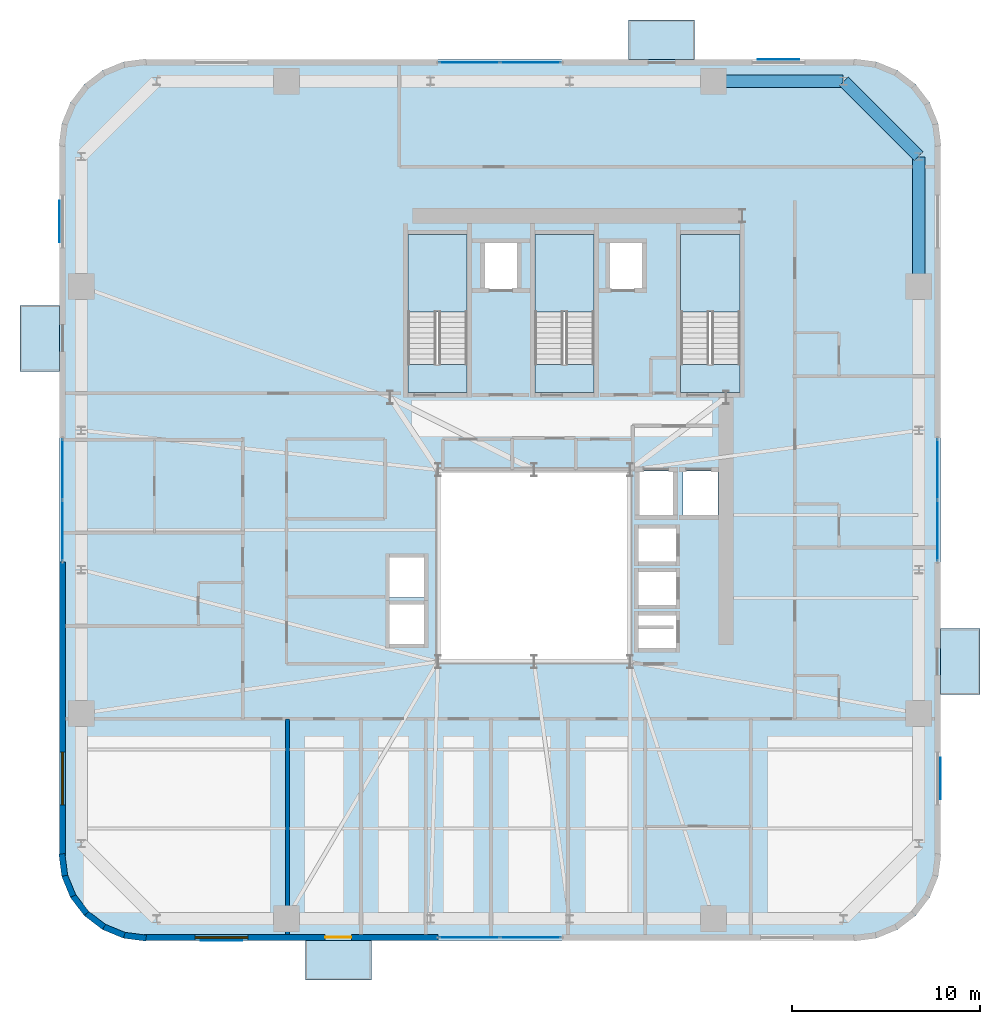
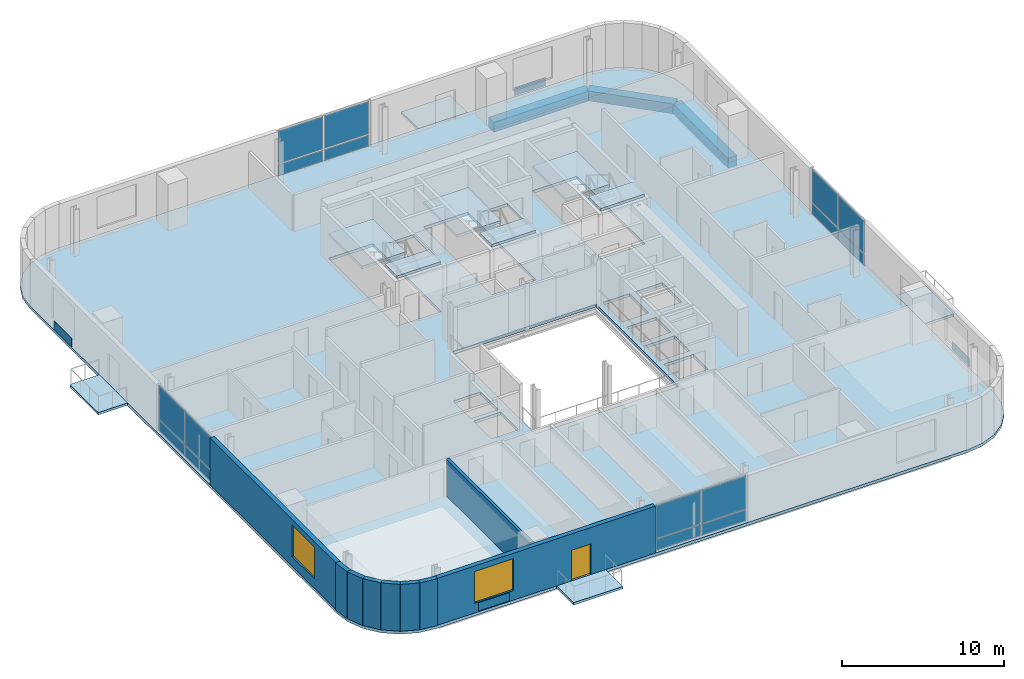
# One storey, part 7 of 17: 20 plates, 11 slabs, 9 walls, 3 beams, 2 windows, 1 door, 3 openings, 7 elements without a shape of their own.
"""IFC4 building model written with IfcOpenShell, lengths in metres."""

import ifcopenshell
import ifcopenshell.guid

model = None  # the IFC model being written
_history = None  # IfcOwnerHistory: only IFC2X3 demands one
_inside = {}  # id of a spatial element -> (the spatial element, [elements in it])
_under = {}  # id of a project, library or spatial element -> (it, [spatial elements below it])
_declared = {}  # id of a project -> (the project, [libraries it declares])
_typed = {}  # id of a type object -> (the type object, [elements of that type])
_made_of = {}  # id of a material, layer set ... -> (it, [elements and type objects made of it])


def new_model(schema):
    """Start an empty IFC model of exactly this schema.

    Asked for "IFC4X3", IfcOpenShell would pick the latest addendum, in which some entities
    have other attributes; the version numbers below select the first issue.
    IFC2X3 requires an IfcOwnerHistory on every rooted entity: one is made here for all.
    """
    global model, _history
    if schema == "IFC4X3":
        model = ifcopenshell.file(schema_version=(4, 3, 0, 0))
    else:
        model = ifcopenshell.file(schema=schema)
    _inside.clear()
    _under.clear()
    _declared.clear()
    _typed.clear()
    _made_of.clear()
    _history = None
    if model.schema == "IFC2X3":
        org = make("IfcOrganization", Name="unknown")
        user = make(
            "IfcPersonAndOrganization",
            ThePerson=make("IfcPerson", FamilyName="unknown"),
            TheOrganization=org,
        )
        app = make(
            "IfcApplication",
            ApplicationDeveloper=org,
            Version="unknown",
            ApplicationFullName="unknown",
            ApplicationIdentifier="unknown",
        )
        _history = make(
            "IfcOwnerHistory",
            OwningUser=user,
            OwningApplication=app,
            ChangeAction="ADDED",
            CreationDate=0,
        )
    return model


def make(cls, **values):
    """One entity of the class cls with the attributes given. An attribute that is None is left unset."""
    return model.create_entity(
        cls, **{name: value for name, value in values.items() if value is not None}
    )


def rooted(cls, **values):
    """An entity with a GlobalId (a new one), such as an element, a storey or a relation."""
    return make(cls, GlobalId=ifcopenshell.guid.new(), OwnerHistory=_history, **values)


def si_unit(unit_type, name, prefix=None):
    """IfcSIUnit, for example si_unit("LENGTHUNIT", "METRE", prefix="MILLI")."""
    return make("IfcSIUnit", UnitType=unit_type, Prefix=prefix, Name=name)


def assignment(units):
    """IfcUnitAssignment: the units of a project."""
    return None if units is None else make("IfcUnitAssignment", Units=units)


def point(xyz):
    """IfcCartesianPoint."""
    return None if xyz is None else make("IfcCartesianPoint", Coordinates=xyz)


def direction(xyz):
    """IfcDirection."""
    return None if xyz is None else make("IfcDirection", DirectionRatios=xyz)


def frame(location, z_axis=None, x_axis=None):
    """IfcAxis2Placement3D, a coordinate frame: its origin and axes. An axis left out is left unset."""
    return make(
        "IfcAxis2Placement3D",
        Location=point(location),
        Axis=direction(z_axis),
        RefDirection=direction(x_axis),
    )


def frame_2d(location, x_axis=None):
    """IfcAxis2Placement2D, a coordinate frame in the plane: its origin and x axis."""
    return make(
        "IfcAxis2Placement2D", Location=point(location), RefDirection=direction(x_axis)
    )


def origin():
    """The frame at (0, 0, 0) with its axes left unset."""
    return frame((0.0, 0.0, 0.0))


def origin_2d():
    """The frame at (0, 0) in the plane with its x axis left unset."""
    return frame_2d((0.0, 0.0))


def place(relative_to, where):
    """IfcLocalPlacement: puts the frame where relative to a parent placement (None: the world)."""
    return make(
        "IfcLocalPlacement", PlacementRelTo=relative_to, RelativePlacement=where
    )


def context(
    kind, dimensions, precision=None, world=None, true_north=None, identifier=None
):
    """IfcGeometricRepresentationContext, for example the 3D "Model" context."""
    return make(
        "IfcGeometricRepresentationContext",
        ContextIdentifier=identifier,
        ContextType=kind,
        CoordinateSpaceDimension=dimensions,
        Precision=precision,
        WorldCoordinateSystem=world,
        TrueNorth=true_north,
    )


def subcontext(parent, identifier, kind, view, scale=None):
    """IfcGeometricRepresentationSubContext, for example "Body" below "Model"."""
    return make(
        "IfcGeometricRepresentationSubContext",
        ContextIdentifier=identifier,
        ContextType=kind,
        ParentContext=parent,
        TargetScale=scale,
        TargetView=view,
    )


def project(units=None, contexts=None):
    """IfcProject with its units and contexts."""
    return rooted(
        "IfcProject",
        Name="project",
        RepresentationContexts=contexts,
        UnitsInContext=assignment(units),
    )


def spatial(cls, under=None, at=None, **own):
    """A site, building, storey or space (cls), placed at a placement, below another one or the project."""
    s = rooted(cls, ObjectPlacement=at, **own)
    if under is not None:
        _under.setdefault(under.id(), (under, []))[1].append(s)
    return s


def polyline(points):
    """IfcPolyline through the points."""
    return make("IfcPolyline", Points=[point(p) for p in points])


def profile(cls, at=None, kind="AREA", **sizes):
    """A parametric profile (cls). Its sizes go by their IFC names, for example OverallWidth=200.0."""
    return make(cls, ProfileType=kind, Position=at, **sizes)


def rectangle(**sizes):
    """IfcRectangleProfileDef."""
    return profile("IfcRectangleProfileDef", **sizes)


def outline(outer, holes=None, kind="AREA"):
    """IfcArbitraryClosedProfileDef: a profile drawn as a closed curve; with holes, ...WithVoids."""
    if holes is None:
        return make("IfcArbitraryClosedProfileDef", ProfileType=kind, OuterCurve=outer)
    return make(
        "IfcArbitraryProfileDefWithVoids",
        ProfileType=kind,
        OuterCurve=outer,
        InnerCurves=holes,
    )


def extrude(swept, where, along, depth):
    """IfcExtrudedAreaSolid: the profile swept, set in the frame where, extruded along a direction by depth."""
    return make(
        "IfcExtrudedAreaSolid",
        SweptArea=swept,
        Position=where,
        ExtrudedDirection=direction(along),
        Depth=depth,
    )


def shape(context_of_items, identifier, shape_type, items):
    """IfcShapeRepresentation: the items that make up one representation, for example the "Body"."""
    return make(
        "IfcShapeRepresentation",
        ContextOfItems=context_of_items,
        RepresentationIdentifier=identifier,
        RepresentationType=shape_type,
        Items=items,
    )


def source(mapping_origin, context_of_items, identifier, shape_type, items):
    """IfcRepresentationMap: a shape defined once, which mapped items show again and again."""
    return make(
        "IfcRepresentationMap",
        MappingOrigin=mapping_origin,
        MappedRepresentation=shape(context_of_items, identifier, shape_type, items),
    )


def transform(
    local_origin,
    x_axis=None,
    y_axis=None,
    z_axis=None,
    scale=None,
    scale2=None,
    scale3=None,
    uniform=True,
):
    """IfcCartesianTransformationOperator3D, or its non-uniform kind. x_axis, y_axis, z_axis: its Axis1, 2, 3."""
    if uniform:
        return make(
            "IfcCartesianTransformationOperator3D",
            Axis1=direction(x_axis),
            Axis2=direction(y_axis),
            LocalOrigin=point(local_origin),
            Scale=scale,
            Axis3=direction(z_axis),
        )
    return make(
        "IfcCartesianTransformationOperator3DnonUniform",
        Axis1=direction(x_axis),
        Axis2=direction(y_axis),
        LocalOrigin=point(local_origin),
        Scale=scale,
        Axis3=direction(z_axis),
        Scale2=scale2,
        Scale3=scale3,
    )


def mapped(mapping_source, mapping_target):
    """IfcMappedItem: shows the shape of a source again, moved by a transform."""
    return make(
        "IfcMappedItem", MappingSource=mapping_source, MappingTarget=mapping_target
    )


def material(Name=None, Category=None):
    """IfcMaterial."""
    return make("IfcMaterial", Name=Name, Category=Category)


def layer(
    of_material, thickness, ventilated=None, Name=None, Category=None, Priority=None
):
    """IfcMaterialLayer: one layer of a wall or slab, of a material (None: an air gap)."""
    return make(
        "IfcMaterialLayer",
        Material=of_material,
        LayerThickness=thickness,
        IsVentilated=ventilated,
        Name=Name,
        Category=Category,
        Priority=Priority,
    )


def layer_set(layers, Name=None):
    """IfcMaterialLayerSet."""
    return make("IfcMaterialLayerSet", MaterialLayers=layers, LayerSetName=Name)


def material_profile(
    of_material, cross_section, Name=None, Category=None, Priority=None
):
    """IfcMaterialProfile: a cross section and its material."""
    return make(
        "IfcMaterialProfile",
        Name=Name,
        Material=of_material,
        Profile=cross_section,
        Priority=Priority,
        Category=Category,
    )


def profile_set(profiles, Name=None, composite=None):
    """IfcMaterialProfileSet."""
    return make(
        "IfcMaterialProfileSet",
        Name=Name,
        MaterialProfiles=profiles,
        CompositeProfile=composite,
    )


def made_of(thing, what):
    """Note that an element or type object is made of a material, layer set ...; save() writes the relation."""
    if what is not None:
        _made_of.setdefault(what.id(), (what, []))[1].append(thing)
    return thing


def type_object(cls, material=None, **own):
    """A type object (cls), such as IfcWallType, which elements share."""
    return made_of(rooted(cls, **own), material)


def element(
    cls,
    number,
    at=None,
    inside=None,
    cuts=None,
    type_object=None,
    material=None,
    context=None,
    identifier="Body",
    shape_type=None,
    held_by="IfcProductDefinitionShape",
    body=None,
    shapes=None,
    **own,
):
    """One element of the class cls, such as IfcWall. Its Tag is "e" and its number.

    at: its placement. inside: the storey or other place that contains it. cuts: it is an
    opening in that element (IfcRelVoidsElement). A single representation is given by context,
    identifier, shape_type and body (its items); several are given by shapes. held_by: the class
    of the entity that holds the representations. save() writes the other relations.
    """
    e = rooted(cls, Tag="e%d" % number, ObjectPlacement=at, **own)
    if body is not None:
        shapes = [shape(context, identifier, shape_type, body)]
    if shapes is not None:
        e.Representation = make(held_by, Representations=shapes)
    if inside is not None:
        _inside.setdefault(inside.id(), (inside, []))[1].append(e)
    if cuts is not None:
        rooted(
            "IfcRelVoidsElement", RelatingBuildingElement=cuts, RelatedOpeningElement=e
        )
    if type_object is not None:
        _typed.setdefault(type_object.id(), (type_object, []))[1].append(e)
    return made_of(e, material)


def fill(opening, filler):
    """IfcRelFillsElement: the door or window that sits in an opening."""
    return rooted(
        "IfcRelFillsElement",
        RelatingOpeningElement=opening,
        RelatedBuildingElement=filler,
    )


def aggregate(whole, parts):
    """IfcRelAggregates: a whole, such as a stair, and the parts it consists of."""
    return rooted("IfcRelAggregates", RelatingObject=whole, RelatedObjects=parts)


def save(model, path):
    """Write the relations noted so far, then the file.

    IfcRelAggregates (storeys below a building ...), IfcRelContainedInSpatialStructure (elements
    in a storey), IfcRelDefinesByType, IfcRelAssociatesMaterial and IfcRelDeclares: one each for
    every whole, place, type object, material and project.
    """
    for whole, parts in _under.values():
        aggregate(whole, parts)
    for where, things in _inside.values():
        rooted(
            "IfcRelContainedInSpatialStructure",
            RelatedElements=things,
            RelatingStructure=where,
        )
    for kind, things in _typed.values():
        rooted("IfcRelDefinesByType", RelatedObjects=things, RelatingType=kind)
    for what, things in _made_of.values():
        rooted("IfcRelAssociatesMaterial", RelatedObjects=things, RelatingMaterial=what)
    for by, libraries in _declared.values():
        rooted("IfcRelDeclares", RelatingContext=by, RelatedDefinitions=libraries)
    model.write(path)


model = new_model("IFC4")

# Units and contexts
model_context = context("Model", 3, precision=1e-05, world=origin(), true_north=direction((0.0, 1.0)))
body_context = subcontext(model_context, "Body", "Model", "MODEL_VIEW")
ifc_project = project(units=[si_unit("LENGTHUNIT", "METRE"), si_unit("AREAUNIT", "SQUARE_METRE"), si_unit("VOLUMEUNIT", "CUBIC_METRE"), si_unit("PLANEANGLEUNIT", "RADIAN"), si_unit("MASSUNIT", "GRAM", prefix="KILO")], contexts=[model_context])

# Site, building, storey
site_placement = place(None, origin())
site = spatial("IfcSite", under=ifc_project, at=site_placement, CompositionType="ELEMENT")
building_placement = place(site_placement, origin())
building = spatial("IfcBuilding", under=site, at=building_placement, Name="Vardaveli Station Tower", CompositionType="ELEMENT")
storey_placement = place(building_placement, frame((0.0, 0.0, 218.550048828125)))
storey = spatial("IfcBuildingStorey", under=building, at=storey_placement, Name="L56", CompositionType="ELEMENT", Elevation=218.550048828125)

# Beams
ifc_material_1 = material(Name="Precast concrete C45/55", Category="concrete")
ifc_material_profile = material_profile(ifc_material_1, rectangle(XDim=0.64990234375, YDim=0.75, at=origin_2d()), Name="LPB 650x750")
ifc_profile_set = profile_set([ifc_material_profile], Name="Precast concrete C45/55")
beam_type = type_object("IfcBeamType", Name="BM-LPB-750", PredefinedType="BEAM", material=ifc_profile_set)
shared_shape_1 = source(origin(), body_context, "Body", "SweptSolid", [
    extrude(rectangle(XDim=0.64990234375, YDim=0.75, at=origin_2d()), origin(), (0.0, 0.0, 1.0), 6.869873046875),
])
for number, where, z_axis, x_axis, name in (
    (1, (56.75, 36.56005859375, -0.594970703125), (0.0, 1.0, 0.0), (-1.0, 0.0, 0.0), "RBM-L56-10"),
    (2, (52.72998046875, 47.449951171875, -0.594970703125), (-1.0, 0.0, 0.0), (0.0, -1.0, 0.0), "RBM-L56-12"),
):
    element("IfcBeam", number, at=place(storey_placement, frame(where, z_axis=z_axis, x_axis=x_axis)), inside=storey, type_object=beam_type, Name=name, PredefinedType="BEAM", context=body_context, shape_type="MappedRepresentation", body=[
        mapped(shared_shape_1, transform((0.0, 0.0, 0.0), scale=1.0)),
    ])
shared_shape_2 = source(origin(), body_context, "Body", "SweptSolid", [
    extrude(rectangle(XDim=0.64990234375, YDim=0.75, at=origin_2d()), origin(), (0.0, 0.0, 1.0), 5.61669921875),
])
beam_placement = place(storey_placement, frame((56.73583984375, 43.464111328125, -0.594970703125), z_axis=(-0.707106781187, 0.707106781187, 0.0), x_axis=(-0.707106781187, -0.707106781187, 0.0)))
element("IfcBeam", 3, at=beam_placement, inside=storey, type_object=beam_type, Name="RBM-L56-11", PredefinedType="BEAM", context=body_context, shape_type="MappedRepresentation", body=[
    mapped(shared_shape_2, transform((0.0, 0.0, 0.0), scale=1.0)),
])

# Stair, slabs
ifc_material_2 = material(Name="Concrete C40/50", Category="concrete")
stair_type = type_object("IfcStairType", Name="STR-CORE-1500", PredefinedType="HALF_TURN_STAIR", material=ifc_material_2)
stair_1_placement = place(storey_placement, origin())
stair_1 = element("IfcStair", 4, at=stair_1_placement, inside=storey, type_object=stair_type, Name="L56 ST-1", PredefinedType="HALF_TURN_STAIR")
ifc_layer_1 = layer(ifc_material_2, 0.199951171875, Name="Concrete C40/50")
ifc_layer_set_1 = layer_set([ifc_layer_1], Name="Concrete C40/50")
slab_type_1 = type_object("IfcSlabType", Name="SLB-LAND-200", PredefinedType="LANDING", material=ifc_layer_set_1)
slab_1_placement = place(storey_placement, frame((0.0, 0.0, 1.675048828125)))
slab_1 = element("IfcSlab", 5, at=slab_1_placement, type_object=slab_type_1, Name="ST-1 landing 1", PredefinedType="LANDING", context=body_context, shape_type="SweptSolid", body=[
    extrude(outline(polyline([(32.75, 35.199951171875), (32.75, 39.300048828125), (29.60009765625, 39.300048828125), (29.60009765625, 35.199951171875), (32.75, 35.199951171875)])), origin(), (0.0, 0.0, 1.0), 0.199951171875),
])
slab_2_placement = place(storey_placement, frame((0.0, 0.0, 3.550048828125)))
slab_2 = element("IfcSlab", 6, at=slab_2_placement, type_object=slab_type_1, Name="ST-1 landing 2", PredefinedType="LANDING", context=body_context, shape_type="SweptSolid", body=[
    extrude(outline(polyline([(32.75, 30.89990234375), (32.75, 32.39990234375), (29.60009765625, 32.39990234375), (29.60009765625, 30.89990234375), (32.75, 30.89990234375)])), origin(), (0.0, 0.0, 1.0), 0.199951171875),
])
aggregate(stair_1, [slab_1, slab_2])

stair_2_placement = place(storey_placement, origin())
stair_2 = element("IfcStair", 7, at=stair_2_placement, inside=storey, type_object=stair_type, Name="L56 ST-2", PredefinedType="HALF_TURN_STAIR")
slab_3_placement = place(storey_placement, frame((0.0, 0.0, 1.675048828125)))
slab_3 = element("IfcSlab", 8, at=slab_3_placement, type_object=slab_type_1, Name="ST-2 landing 1", PredefinedType="LANDING", context=body_context, shape_type="SweptSolid", body=[
    extrude(outline(polyline([(39.5, 35.199951171875), (39.5, 39.300048828125), (36.35009765625, 39.300048828125), (36.35009765625, 35.199951171875), (39.5, 35.199951171875)])), origin(), (0.0, 0.0, 1.0), 0.199951171875),
])
slab_4_placement = place(storey_placement, frame((0.0, 0.0, 3.550048828125)))
slab_4 = element("IfcSlab", 9, at=slab_4_placement, type_object=slab_type_1, Name="ST-2 landing 2", PredefinedType="LANDING", context=body_context, shape_type="SweptSolid", body=[
    extrude(outline(polyline([(39.5, 30.89990234375), (39.5, 32.39990234375), (36.35009765625, 32.39990234375), (36.35009765625, 30.89990234375), (39.5, 30.89990234375)])), origin(), (0.0, 0.0, 1.0), 0.199951171875),
])
aggregate(stair_2, [slab_3, slab_4])

stair_3_placement = place(storey_placement, origin())
stair_3 = element("IfcStair", 10, at=stair_3_placement, inside=storey, type_object=stair_type, Name="L56 ST-3", PredefinedType="HALF_TURN_STAIR")
slab_5_placement = place(storey_placement, frame((0.0, 0.0, 1.675048828125)))
slab_5 = element("IfcSlab", 11, at=slab_5_placement, type_object=slab_type_1, Name="ST-3 landing 1", PredefinedType="LANDING", context=body_context, shape_type="SweptSolid", body=[
    extrude(outline(polyline([(47.25, 35.199951171875), (47.25, 39.300048828125), (44.10009765625, 39.300048828125), (44.10009765625, 35.199951171875), (47.25, 35.199951171875)])), origin(), (0.0, 0.0, 1.0), 0.199951171875),
])
slab_6_placement = place(storey_placement, frame((0.0, 0.0, 3.550048828125)))
slab_6 = element("IfcSlab", 12, at=slab_6_placement, type_object=slab_type_1, Name="ST-3 landing 2", PredefinedType="LANDING", context=body_context, shape_type="SweptSolid", body=[
    extrude(outline(polyline([(47.25, 30.89990234375), (47.25, 32.39990234375), (44.10009765625, 32.39990234375), (44.10009765625, 30.89990234375), (47.25, 30.89990234375)])), origin(), (0.0, 0.0, 1.0), 0.199951171875),
])
aggregate(stair_3, [slab_5, slab_6])

# Slabs
ifc_layer_2 = layer(ifc_material_1, 0.179931640625, Name="Precast concrete C45/55")
ifc_layer_set_2 = layer_set([ifc_layer_2], Name="Precast concrete C45/55")
slab_type_2 = type_object("IfcSlabType", Name="SLB-LOGGIA-180", PredefinedType="FLOOR", material=ifc_layer_set_2)
slab_7_placement = place(storey_placement, frame((0.0, 0.0, -0.179931640625)))
element("IfcSlab", 13, at=slab_7_placement, inside=storey, type_object=slab_type_2, Name="LOG-L56-S", PredefinedType="FLOOR", context=body_context, shape_type="SweptSolid", body=[
    extrude(outline(polyline([(24.160400390625, -0.300048828125), (27.660400390625, -0.300048828125), (27.660400390625, 1.800048828125), (24.160400390625, 1.800048828125), (24.160400390625, -0.300048828125)])), origin(), (0.0, 0.0, 1.0), 0.179931640625),
])
slab_8_placement = place(storey_placement, frame((0.0, 0.0, -0.179931640625)))
element("IfcSlab", 14, at=slab_8_placement, inside=storey, type_object=slab_type_2, Name="LOG-L56-N", PredefinedType="FLOOR", context=body_context, shape_type="SweptSolid", body=[
    extrude(outline(polyline([(41.339599609375, 48.60009765625), (44.839599609375, 48.60009765625), (44.839599609375, 50.699951171875), (41.339599609375, 50.699951171875), (41.339599609375, 48.60009765625)])), origin(), (0.0, 0.0, 1.0), 0.179931640625),
])
slab_9_placement = place(storey_placement, frame((0.0, 0.0, -0.179931640625)))
element("IfcSlab", 15, at=slab_9_placement, inside=storey, type_object=slab_type_2, Name="LOG-L56-W", PredefinedType="FLOOR", context=body_context, shape_type="SweptSolid", body=[
    extrude(outline(polyline([(9.0, 32.03955078125), (11.10009765625, 32.03955078125), (11.10009765625, 35.53955078125), (9.0, 35.53955078125), (9.0, 32.03955078125)])), origin(), (0.0, 0.0, 1.0), 0.179931640625),
])
slab_10_placement = place(storey_placement, frame((0.0, 0.0, -0.179931640625)))
element("IfcSlab", 16, at=slab_10_placement, inside=storey, type_object=slab_type_2, Name="LOG-L56-E", PredefinedType="FLOOR", context=body_context, shape_type="SweptSolid", body=[
    extrude(outline(polyline([(57.89990234375, 14.8603515625), (60.0, 14.8603515625), (60.0, 18.3603515625), (57.89990234375, 18.3603515625), (57.89990234375, 14.8603515625)])), origin(), (0.0, 0.0, 1.0), 0.179931640625),
])
ifc_layer_3 = layer(ifc_material_2, 0.219970703125, Name="Concrete C40/50")
ifc_layer_set_3 = layer_set([ifc_layer_3], Name="Concrete C40/50")
slab_type_3 = type_object("IfcSlabType", Name="SLB-TOW-220", PredefinedType="FLOOR", material=ifc_layer_set_3)
slab_11_placement = place(storey_placement, frame((0.0, 0.0, -0.219970703125)))
element("IfcSlab", 17, at=slab_11_placement, inside=storey, type_object=slab_type_3, Name="SLB-L56-MAIN", PredefinedType="FLOOR", context=body_context, shape_type="SweptSolid", body=[
    extrude(outline(polyline([(11.10009765625, 6.300048828125), (11.25341796875, 5.13525390625), (11.702880859375, 4.050048828125), (12.41796875, 3.117919921875), (13.35009765625, 2.40283203125), (14.435302734375, 1.953369140625), (15.60009765625, 1.800048828125), (53.39990234375, 1.800048828125), (54.564697265625, 1.953369140625), (55.64990234375, 2.40283203125), (56.58203125, 3.117919921875), (57.297119140625, 4.050048828125), (57.74658203125, 5.13525390625), (57.89990234375, 6.300048828125), (57.89990234375, 44.10009765625), (57.74658203125, 45.2646484375), (57.297119140625, 46.35009765625), (56.58203125, 47.281982421875), (55.64990234375, 47.9970703125), (54.564697265625, 48.44677734375), (53.39990234375, 48.60009765625), (15.60009765625, 48.60009765625), (14.435302734375, 48.44677734375), (13.35009765625, 47.9970703125), (12.41796875, 47.281982421875), (11.702880859375, 46.35009765625), (11.25341796875, 45.2646484375), (11.10009765625, 44.10009765625), (11.10009765625, 6.300048828125)]), holes=[polyline([(31.199951171875, 16.60009765625), (41.39990234375, 16.60009765625), (41.39990234375, 26.800048828125), (31.199951171875, 26.800048828125), (31.199951171875, 16.60009765625)]), polyline([(32.75, 30.89990234375), (32.75, 39.300048828125), (29.60009765625, 39.300048828125), (29.60009765625, 30.89990234375), (32.75, 30.89990234375)]), polyline([(39.5, 30.89990234375), (39.5, 39.300048828125), (36.35009765625, 39.300048828125), (36.35009765625, 30.89990234375), (39.5, 30.89990234375)]), polyline([(47.25, 30.89990234375), (47.25, 39.300048828125), (44.10009765625, 39.300048828125), (44.10009765625, 30.89990234375), (47.25, 30.89990234375)]), polyline([(33.659912109375, 36.409912109375), (35.43994140625, 36.409912109375), (35.43994140625, 38.889892578125), (33.659912109375, 38.889892578125), (33.659912109375, 36.409912109375)]), polyline([(40.31005859375, 36.409912109375), (42.090087890625, 36.409912109375), (42.090087890625, 38.889892578125), (40.31005859375, 38.889892578125), (40.31005859375, 36.409912109375)]), polyline([(41.81005859375, 21.885009765625), (43.889892578125, 21.885009765625), (43.889892578125, 23.715087890625), (41.81005859375, 23.715087890625), (41.81005859375, 21.885009765625)]), polyline([(41.81005859375, 19.5849609375), (43.889892578125, 19.5849609375), (43.889892578125, 21.4150390625), (41.81005859375, 21.4150390625), (41.81005859375, 19.5849609375)]), polyline([(41.81005859375, 17.284912109375), (43.889892578125, 17.284912109375), (43.889892578125, 19.114990234375), (41.81005859375, 19.114990234375), (41.81005859375, 17.284912109375)]), polyline([(28.5849609375, 17.510009765625), (30.514892578125, 17.510009765625), (30.514892578125, 19.68994140625), (28.5849609375, 19.68994140625), (28.5849609375, 17.510009765625)]), polyline([(28.5849609375, 20.010009765625), (30.514892578125, 20.010009765625), (30.514892578125, 22.18994140625), (28.5849609375, 22.18994140625), (28.5849609375, 20.010009765625)]), polyline([(41.860107421875, 24.360107421875), (43.739990234375, 24.360107421875), (43.739990234375, 26.739990234375), (41.860107421875, 26.739990234375), (41.860107421875, 24.360107421875)]), polyline([(44.2099609375, 24.360107421875), (46.090087890625, 24.360107421875), (46.090087890625, 26.739990234375), (44.2099609375, 26.739990234375), (44.2099609375, 24.360107421875)])]), origin(), (0.0, 0.0, 1.0), 0.219970703125),
])

# Plates
ifc_material_3 = material(Name="Honed Caucasian travertine stone", Category="masonry")
ifc_layer_4 = layer(ifc_material_3, 0.034912109375, Name="Honed Caucasian travertine stone")
ifc_layer_set_4 = layer_set([ifc_layer_4], Name="Honed Caucasian travertine stone")
plate_type_1 = type_object("IfcPlateType", Name="PLT-TRAV-35", PredefinedType="SHEET", material=ifc_layer_set_4)
shared_shape_3 = source(origin(), body_context, "Body", "SweptSolid", [
    extrude(rectangle(XDim=2.199951171875, YDim=0.034912109375, at=origin_2d()), origin(), (0.0, 0.0, 1.0), 0.6201171875),
])
for number, where, z_axis, x_axis, name in (
    (18, (19.705078125, 1.79052734375, 0.06982421875), (0.0, 0.0, 1.0), (1.0, 0.0, 0.0), "PLT-TR-L56-S"),
    (19, (49.294921875, 48.609619140625, 0.06982421875), (0.0, 0.0, 1.0), (1.0, 0.0, 0.0), "PLT-TR-L56-N"),
    (20, (11.090576171875, 39.9951171875, 0.06982421875), (0.0, 0.0, 1.0), (0.0, 1.0, 0.0), "PLT-TR-L56-W"),
    (21, (57.909423828125, 10.405029296875, 0.06982421875), (0.0, 0.0, 1.0), (0.0, 1.0, 0.0), "PLT-TR-L56-E"),
):
    element("IfcPlate", number, at=place(storey_placement, frame(where, z_axis=z_axis, x_axis=x_axis)), inside=storey, type_object=plate_type_1, Name=name, PredefinedType="SHEET", context=body_context, shape_type="MappedRepresentation", body=[
        mapped(shared_shape_3, transform((0.0, 0.0, 0.0), scale=1.0)),
    ])

# Curtain wall, plates
ifc_material_4 = material(Name="Travertine stone and solar-control glass", Category="masonry")
curtain_wall_type = type_object("IfcCurtainWallType", Name="CW-SYS-5", PredefinedType="NOTDEFINED", material=ifc_material_4)
curtain_wall_1_placement = place(storey_placement, origin())
curtain_wall_1 = element("IfcCurtainWall", 22, at=curtain_wall_1_placement, inside=storey, type_object=curtain_wall_type, Name="CW-L56-S", PredefinedType="NOTDEFINED")
ifc_material_5 = material(Name="Double-glazed low-E solar-control glass", Category="glass")
ifc_layer_5 = layer(ifc_material_5, 0.031982421875, Name="Double-glazed low-E solar-control glass")
ifc_layer_set_5 = layer_set([ifc_layer_5], Name="Double-glazed low-E solar-control glass")
plate_type_2 = type_object("IfcPlateType", Name="CW-SYS-5-PAN", PredefinedType="CURTAIN_PANEL", material=ifc_layer_set_5)
shared_shape_4 = source(origin(), body_context, "Body", "SweptSolid", [
    extrude(rectangle(XDim=3.179931640625, YDim=0.031982421875, at=origin_2d()), origin(), (0.0, 0.0, 1.0), 0.830078125),
])
plate_1_placement = place(storey_placement, frame((32.8701171875, 1.9599609375, 0.079833984375), z_axis=(0.0, 0.0, 1.0), x_axis=(1.0, 0.0, 0.0)))
plate_1 = element("IfcPlate", 23, at=plate_1_placement, type_object=plate_type_2, Name="CW-5 panel 1.1", PredefinedType="CURTAIN_PANEL", context=body_context, shape_type="MappedRepresentation", body=[
    mapped(shared_shape_4, transform((0.0, 0.0, 0.0), scale=1.0)),
])
plate_2_placement = place(storey_placement, frame((36.1298828125, 1.9599609375, 0.079833984375), z_axis=(0.0, 0.0, 1.0), x_axis=(1.0, 0.0, 0.0)))
plate_2 = element("IfcPlate", 24, at=plate_2_placement, type_object=plate_type_2, Name="CW-5 panel 2.1", PredefinedType="CURTAIN_PANEL", context=body_context, shape_type="MappedRepresentation", body=[
    mapped(shared_shape_4, transform((0.0, 0.0, 0.0), scale=1.0)),
])

curtain_wall_2_placement = place(storey_placement, origin())
curtain_wall_2 = element("IfcCurtainWall", 25, at=curtain_wall_2_placement, inside=storey, type_object=curtain_wall_type, Name="CW-L56-N", PredefinedType="NOTDEFINED")
plate_3_placement = place(storey_placement, frame((36.1298828125, 48.43994140625, 0.079833984375), z_axis=(0.0, 0.0, 1.0), x_axis=(-1.0, 0.0, 0.0)))
plate_3 = element("IfcPlate", 26, at=plate_3_placement, type_object=plate_type_2, Name="CW-5 panel 1.1", PredefinedType="CURTAIN_PANEL", context=body_context, shape_type="MappedRepresentation", body=[
    mapped(shared_shape_4, transform((0.0, 0.0, 0.0), scale=1.0)),
])
plate_4_placement = place(storey_placement, frame((32.8701171875, 48.43994140625, 0.079833984375), z_axis=(0.0, 0.0, 1.0), x_axis=(-1.0, 0.0, 0.0)))
plate_4 = element("IfcPlate", 27, at=plate_4_placement, type_object=plate_type_2, Name="CW-5 panel 2.1", PredefinedType="CURTAIN_PANEL", context=body_context, shape_type="MappedRepresentation", body=[
    mapped(shared_shape_4, transform((0.0, 0.0, 0.0), scale=1.0)),
])

curtain_wall_3_placement = place(storey_placement, origin())
curtain_wall_3 = element("IfcCurtainWall", 28, at=curtain_wall_3_placement, inside=storey, type_object=curtain_wall_type, Name="CW-L56-W", PredefinedType="NOTDEFINED")
plate_5_placement = place(storey_placement, frame((11.260009765625, 26.830078125, 0.079833984375), z_axis=(0.0, 0.0, 1.0), x_axis=(0.0, -1.0, 0.0)))
plate_5 = element("IfcPlate", 29, at=plate_5_placement, type_object=plate_type_2, Name="CW-5 panel 1.1", PredefinedType="CURTAIN_PANEL", context=body_context, shape_type="MappedRepresentation", body=[
    mapped(shared_shape_4, transform((0.0, 0.0, 0.0), scale=1.0)),
])
plate_6_placement = place(storey_placement, frame((11.260009765625, 23.570068359375, 0.079833984375), z_axis=(0.0, 0.0, 1.0), x_axis=(0.0, -1.0, 0.0)))
plate_6 = element("IfcPlate", 30, at=plate_6_placement, type_object=plate_type_2, Name="CW-5 panel 2.1", PredefinedType="CURTAIN_PANEL", context=body_context, shape_type="MappedRepresentation", body=[
    mapped(shared_shape_4, transform((0.0, 0.0, 0.0), scale=1.0)),
])

curtain_wall_4_placement = place(storey_placement, origin())
curtain_wall_4 = element("IfcCurtainWall", 31, at=curtain_wall_4_placement, inside=storey, type_object=curtain_wall_type, Name="CW-L56-E", PredefinedType="NOTDEFINED")
plate_7_placement = place(storey_placement, frame((57.739990234375, 23.570068359375, 0.079833984375), z_axis=(0.0, 0.0, 1.0), x_axis=(0.0, 1.0, 0.0)))
plate_7 = element("IfcPlate", 32, at=plate_7_placement, type_object=plate_type_2, Name="CW-5 panel 1.1", PredefinedType="CURTAIN_PANEL", context=body_context, shape_type="MappedRepresentation", body=[
    mapped(shared_shape_4, transform((0.0, 0.0, 0.0), scale=1.0)),
])
plate_8_placement = place(storey_placement, frame((57.739990234375, 26.830078125, 0.079833984375), z_axis=(0.0, 0.0, 1.0), x_axis=(0.0, 1.0, 0.0)))
plate_8 = element("IfcPlate", 33, at=plate_8_placement, type_object=plate_type_2, Name="CW-5 panel 2.1", PredefinedType="CURTAIN_PANEL", context=body_context, shape_type="MappedRepresentation", body=[
    mapped(shared_shape_4, transform((0.0, 0.0, 0.0), scale=1.0)),
])

# Plate
shared_shape_5 = source(origin(), body_context, "Body", "SweptSolid", [
    extrude(rectangle(XDim=3.179931640625, YDim=0.031982421875, at=origin_2d()), origin(), (0.0, 0.0, 1.0), 2.4599609375),
])
plate_9_placement = place(storey_placement, frame((32.8701171875, 1.9599609375, 0.989990234375), z_axis=(0.0, 0.0, 1.0), x_axis=(1.0, 0.0, 0.0)))
plate_9 = element("IfcPlate", 34, at=plate_9_placement, type_object=plate_type_2, Name="CW-5 panel 1.2", PredefinedType="CURTAIN_PANEL", context=body_context, shape_type="MappedRepresentation", body=[
    mapped(shared_shape_5, transform((0.0, 0.0, 0.0), scale=1.0)),
])

plate_10_placement = place(storey_placement, frame((36.1298828125, 1.9599609375, 0.989990234375), z_axis=(0.0, 0.0, 1.0), x_axis=(1.0, 0.0, 0.0)))
plate_10 = element("IfcPlate", 35, at=plate_10_placement, type_object=plate_type_2, Name="CW-5 panel 2.2", PredefinedType="CURTAIN_PANEL", context=body_context, shape_type="MappedRepresentation", body=[
    mapped(shared_shape_5, transform((0.0, 0.0, 0.0), scale=1.0)),
])

aggregate(curtain_wall_1, [plate_1, plate_9, plate_2, plate_10])

plate_11_placement = place(storey_placement, frame((36.1298828125, 48.43994140625, 0.989990234375), z_axis=(0.0, 0.0, 1.0), x_axis=(-1.0, 0.0, 0.0)))
plate_11 = element("IfcPlate", 36, at=plate_11_placement, type_object=plate_type_2, Name="CW-5 panel 1.2", PredefinedType="CURTAIN_PANEL", context=body_context, shape_type="MappedRepresentation", body=[
    mapped(shared_shape_5, transform((0.0, 0.0, 0.0), scale=1.0)),
])

plate_12_placement = place(storey_placement, frame((32.8701171875, 48.43994140625, 0.989990234375), z_axis=(0.0, 0.0, 1.0), x_axis=(-1.0, 0.0, 0.0)))
plate_12 = element("IfcPlate", 37, at=plate_12_placement, type_object=plate_type_2, Name="CW-5 panel 2.2", PredefinedType="CURTAIN_PANEL", context=body_context, shape_type="MappedRepresentation", body=[
    mapped(shared_shape_5, transform((0.0, 0.0, 0.0), scale=1.0)),
])

aggregate(curtain_wall_2, [plate_3, plate_11, plate_4, plate_12])

plate_13_placement = place(storey_placement, frame((11.260009765625, 26.830078125, 0.989990234375), z_axis=(0.0, 0.0, 1.0), x_axis=(0.0, -1.0, 0.0)))
plate_13 = element("IfcPlate", 38, at=plate_13_placement, type_object=plate_type_2, Name="CW-5 panel 1.2", PredefinedType="CURTAIN_PANEL", context=body_context, shape_type="MappedRepresentation", body=[
    mapped(shared_shape_5, transform((0.0, 0.0, 0.0), scale=1.0)),
])

plate_14_placement = place(storey_placement, frame((11.260009765625, 23.570068359375, 0.989990234375), z_axis=(0.0, 0.0, 1.0), x_axis=(0.0, -1.0, 0.0)))
plate_14 = element("IfcPlate", 39, at=plate_14_placement, type_object=plate_type_2, Name="CW-5 panel 2.2", PredefinedType="CURTAIN_PANEL", context=body_context, shape_type="MappedRepresentation", body=[
    mapped(shared_shape_5, transform((0.0, 0.0, 0.0), scale=1.0)),
])

aggregate(curtain_wall_3, [plate_5, plate_13, plate_6, plate_14])

plate_15_placement = place(storey_placement, frame((57.739990234375, 23.570068359375, 0.989990234375), z_axis=(0.0, 0.0, 1.0), x_axis=(0.0, 1.0, 0.0)))
plate_15 = element("IfcPlate", 40, at=plate_15_placement, type_object=plate_type_2, Name="CW-5 panel 1.2", PredefinedType="CURTAIN_PANEL", context=body_context, shape_type="MappedRepresentation", body=[
    mapped(shared_shape_5, transform((0.0, 0.0, 0.0), scale=1.0)),
])

plate_16_placement = place(storey_placement, frame((57.739990234375, 26.830078125, 0.989990234375), z_axis=(0.0, 0.0, 1.0), x_axis=(0.0, 1.0, 0.0)))
plate_16 = element("IfcPlate", 41, at=plate_16_placement, type_object=plate_type_2, Name="CW-5 panel 2.2", PredefinedType="CURTAIN_PANEL", context=body_context, shape_type="MappedRepresentation", body=[
    mapped(shared_shape_5, transform((0.0, 0.0, 0.0), scale=1.0)),
])

aggregate(curtain_wall_4, [plate_7, plate_15, plate_8, plate_16])

# Wall, openings, door, window
ifc_layer_6 = layer(ifc_material_1, 0.320068359375, Name="Precast concrete C45/55")
ifc_layer_set_6 = layer_set([ifc_layer_6], Name="Precast concrete C45/55")
wall_type_1 = type_object("IfcWallType", Name="WAL-EXT-STONE-320", PredefinedType="SOLIDWALL", material=ifc_layer_set_6)
shared_shape_6 = source(origin(), body_context, "Body", "SweptSolid", [
    extrude(rectangle(XDim=15.599853515625, YDim=0.320068359375, at=frame_2d((7.7998046875, 0.0))), origin(), (0.0, 0.0, 1.0), 3.530029296875),
])
wall_1_placement = place(storey_placement, frame((15.60009765625, 1.9599609375, 0.0), z_axis=(0.0, 0.0, 1.0), x_axis=(1.0, 0.0, 0.0)))
wall_1 = element("IfcWall", 42, at=wall_1_placement, inside=storey, type_object=wall_type_1, Name="EW-L56-S1", PredefinedType="SOLIDWALL", context=body_context, shape_type="MappedRepresentation", body=[
    mapped(shared_shape_6, transform((0.0, 0.0, 0.0), scale=1.0)),
])
shared_shape_7 = source(origin(), body_context, "Body", "SweptSolid", [
    extrude(rectangle(XDim=1.39990234375, YDim=2.300048828125, at=frame_2d((0.699951171875, 1.14990234375))), frame((0.0, 0.169921875, 0.0), z_axis=(0.0, -1.0, 0.0), x_axis=(1.0, 0.0, 0.0)), (0.0, 0.0, 1.0), 0.340087890625),
])
opening_1_placement = place(wall_1_placement, frame((9.6103515625, 0.0, 0.0)))
opening_1 = element("IfcOpeningElement", 43, at=opening_1_placement, cuts=wall_1, Name="Opening D-09", PredefinedType="OPENING", context=body_context, shape_type="MappedRepresentation", body=[
    mapped(shared_shape_7, transform((0.0, 0.0, 0.0), scale=1.0)),
])
shared_shape_8 = source(origin(), body_context, "Body", "SweptSolid", [
    extrude(rectangle(XDim=2.800048828125, YDim=2.39990234375, at=frame_2d((1.39990234375, 1.199951171875))), frame((0.0, 0.169921875, 0.0), z_axis=(0.0, -1.0, 0.0), x_axis=(1.0, 0.0, 0.0)), (0.0, 0.0, 1.0), 0.340087890625),
])
opening_2_placement = place(wall_1_placement, frame((2.705078125, 0.0, 0.719970703125)))
opening_2 = element("IfcOpeningElement", 44, at=opening_2_placement, cuts=wall_1, Name="Opening W-04", PredefinedType="OPENING", context=body_context, shape_type="MappedRepresentation", body=[
    mapped(shared_shape_8, transform((0.0, 0.0, 0.0), scale=1.0)),
])
ifc_material_6 = material(Name="Thermally broken aluminium glass", Category="aluminium")
door_type = type_object("IfcDoorType", Name="DR-LOG-1400x2300", OperationType="DOUBLE_DOOR_SLIDING", PredefinedType="DOOR", material=ifc_material_6)
shared_shape_9 = source(origin(), body_context, "Body", "SweptSolid", [
    extrude(rectangle(XDim=1.39990234375, YDim=2.300048828125, at=frame_2d((0.699951171875, 1.14990234375))), frame((0.0, 0.02490234375, 0.0), z_axis=(0.0, -1.0, 0.0), x_axis=(1.0, 0.0, 0.0)), (0.0, 0.0, 1.0), 0.050048828125),
])
door_placement = place(opening_1_placement, frame((1.39990234375, 0.0, 0.0), z_axis=(0.0, 0.0, 1.0), x_axis=(-1.0, 0.0, 0.0)))
door = element("IfcDoor", 45, at=door_placement, inside=storey, type_object=door_type, Name="DLG-L56-S", OperationType="DOUBLE_DOOR_SLIDING", OverallHeight=2.300048828125, OverallWidth=1.39990234375, PredefinedType="DOOR", context=body_context, shape_type="MappedRepresentation", body=[
    mapped(shared_shape_9, transform((0.0, 0.0, 0.0), scale=1.0)),
])
fill(opening_1, door)
ifc_material_7 = material(Name="Low-E solar-control glass", Category="glass")
window_type = type_object("IfcWindowType", Name="WIN-SUITE-2800x2400", PartitioningType="SINGLE_PANEL", PredefinedType="WINDOW", material=ifc_material_7)
shared_shape_10 = source(origin(), body_context, "Body", "SweptSolid", [
    extrude(rectangle(XDim=2.800048828125, YDim=2.39990234375, at=frame_2d((1.39990234375, 1.199951171875))), frame((0.0, 0.030029296875, 0.0), z_axis=(0.0, -1.0, 0.0), x_axis=(1.0, 0.0, 0.0)), (0.0, 0.0, 1.0), 0.06005859375),
])
window_1_placement = place(opening_2_placement, origin())
window_1 = element("IfcWindow", 46, at=window_1_placement, inside=storey, type_object=window_type, Name="WN-L56-S1", OverallHeight=2.39990234375, OverallWidth=2.800048828125, PartitioningType="SINGLE_PANEL", PredefinedType="WINDOW", context=body_context, shape_type="MappedRepresentation", body=[
    mapped(shared_shape_10, transform((0.0, 0.0, 0.0), scale=1.0)),
])
fill(opening_2, window_1)

# Wall, opening, window
wall_2_placement = place(storey_placement, frame((11.260009765625, 21.89990234375, 0.0), z_axis=(0.0, 0.0, 1.0), x_axis=(0.0, -1.0, 0.0)))
wall_2 = element("IfcWall", 47, at=wall_2_placement, inside=storey, type_object=wall_type_1, Name="EW-L56-W2", PredefinedType="SOLIDWALL", context=body_context, shape_type="MappedRepresentation", body=[
    mapped(shared_shape_6, transform((0.0, 0.0, 0.0), scale=1.0)),
])
opening_3_placement = place(wall_2_placement, frame((10.094970703125, 0.0, 0.719970703125)))
opening_3 = element("IfcOpeningElement", 48, at=opening_3_placement, cuts=wall_2, Name="Opening W-04", PredefinedType="OPENING", context=body_context, shape_type="MappedRepresentation", body=[
    mapped(shared_shape_8, transform((0.0, 0.0, 0.0), scale=1.0)),
])
window_2_placement = place(opening_3_placement, origin())
window_2 = element("IfcWindow", 49, at=window_2_placement, inside=storey, type_object=window_type, Name="WN-L56-W2", OverallHeight=2.39990234375, OverallWidth=2.800048828125, PartitioningType="SINGLE_PANEL", PredefinedType="WINDOW", context=body_context, shape_type="MappedRepresentation", body=[
    mapped(shared_shape_10, transform((0.0, 0.0, 0.0), scale=1.0)),
])
fill(opening_3, window_2)

# Walls
shared_shape_11 = source(origin(), body_context, "Body", "SweptSolid", [
    extrude(rectangle(XDim=1.170654296875, YDim=0.320068359375, at=frame_2d((0.58544921875, 0.0))), origin(), (0.0, 0.0, 1.0), 3.530029296875),
])
wall_3_placement = place(storey_placement, frame((11.224365234375, 6.400634765625, 0.0), z_axis=(0.0, 0.0, 1.0), x_axis=(0.128269133229, -0.991739395941, 0.0)))
element("IfcWall", 50, at=wall_3_placement, inside=storey, type_object=wall_type_1, Name="EW-L56-CR1-1", PredefinedType="SOLIDWALL", context=body_context, shape_type="MappedRepresentation", body=[
    mapped(shared_shape_11, transform((0.0, 0.0, 0.0), scale=1.0)),
])
shared_shape_12 = source(origin(), body_context, "Body", "SweptSolid", [
    extrude(rectangle(XDim=1.1689453125, YDim=0.320068359375, at=frame_2d((0.58447265625, 0.0))), origin(), (0.0, 0.0, 1.0), 3.530029296875),
])
for number, where, z_axis, x_axis, name in (
    (51, (11.37451171875, 5.23974609375, 0.0), (0.0, 0.0, 1.0), (0.381127904695, -0.924522320046, 0.0), "EW-L56-CR1-2"),
    (52, (11.820068359375, 4.158935546875, 0.0), (0.0, 0.0, 1.0), (0.608387696831, -0.793639975269, 0.0), "EW-L56-CR1-3"),
):
    element("IfcWall", number, at=place(storey_placement, frame(where, z_axis=z_axis, x_axis=x_axis)), inside=storey, type_object=wall_type_1, Name=name, PredefinedType="SOLIDWALL", context=body_context, shape_type="MappedRepresentation", body=[
        mapped(shared_shape_12, transform((0.0, 0.0, 0.0), scale=1.0)),
    ])
shared_shape_13 = source(origin(), body_context, "Body", "SweptSolid", [
    extrude(rectangle(XDim=1.168701171875, YDim=0.320068359375, at=frame_2d((0.58447265625, 0.0))), origin(), (0.0, 0.0, 1.0), 3.530029296875),
])
wall_4_placement = place(storey_placement, frame((12.53125, 3.231201171875, 0.0), z_axis=(0.0, 0.0, 1.0), x_axis=(0.793663520347, -0.608356981114, 0.0)))
element("IfcWall", 53, at=wall_4_placement, inside=storey, type_object=wall_type_1, Name="EW-L56-CR1-4", PredefinedType="SOLIDWALL", context=body_context, shape_type="MappedRepresentation", body=[
    mapped(shared_shape_13, transform((0.0, 0.0, 0.0), scale=1.0)),
])
shared_shape_14 = source(origin(), body_context, "Body", "SweptSolid", [
    extrude(rectangle(XDim=1.16943359375, YDim=0.320068359375, at=frame_2d((0.584716796875, 0.0))), origin(), (0.0, 0.0, 1.0), 3.530029296875),
])
wall_5_placement = place(storey_placement, frame((13.458740234375, 2.520263671875, 0.0), z_axis=(0.0, 0.0, 1.0), x_axis=(0.924479075121, -0.381232789334, 0.0)))
element("IfcWall", 54, at=wall_5_placement, inside=storey, type_object=wall_type_1, Name="EW-L56-CR1-5", PredefinedType="SOLIDWALL", context=body_context, shape_type="MappedRepresentation", body=[
    mapped(shared_shape_14, transform((0.0, 0.0, 0.0), scale=1.0)),
])
shared_shape_15 = source(origin(), body_context, "Body", "SweptSolid", [
    extrude(rectangle(XDim=1.170166015625, YDim=0.320068359375, at=frame_2d((0.5849609375, 0.0))), origin(), (0.0, 0.0, 1.0), 3.530029296875),
])
wall_6_placement = place(storey_placement, frame((14.539794921875, 2.074462890625, 0.0), z_axis=(0.0, 0.0, 1.0), x_axis=(0.991762485493, -0.128090485085, 0.0)))
element("IfcWall", 55, at=wall_6_placement, inside=storey, type_object=wall_type_1, Name="EW-L56-CR1-6", PredefinedType="SOLIDWALL", context=body_context, shape_type="MappedRepresentation", body=[
    mapped(shared_shape_15, transform((0.0, 0.0, 0.0), scale=1.0)),
])
ifc_material_8 = material(Name="Acoustic twin-stud gypsum partition")
ifc_layer_7 = layer(ifc_material_8, 0.199951171875, Name="Acoustic twin-stud gypsum partition")
ifc_layer_set_7 = layer_set([ifc_layer_7], Name="Acoustic twin-stud gypsum partition")
wall_type_2 = type_object("IfcWallType", Name="WAL-PARTY-200", PredefinedType="PARTITIONING", material=ifc_layer_set_7)
shared_shape_16 = source(origin(), body_context, "Body", "SweptSolid", [
    extrude(rectangle(XDim=11.447998046875, YDim=0.199951171875, at=frame_2d((5.72412109375, 0.0))), origin(), (0.0, 0.0, 1.0), 2.77197265625),
])
wall_7_placement = place(storey_placement, frame((23.2099609375, 2.1220703125, 0.0), z_axis=(0.0, 0.0, 1.0), x_axis=(0.0, 1.0, 0.0)))
element("IfcWall", 56, at=wall_7_placement, inside=storey, type_object=wall_type_2, Name="W-L56-PS1", PredefinedType="PARTITIONING", context=body_context, shape_type="MappedRepresentation", body=[
    mapped(shared_shape_16, transform((0.0, 0.0, 0.0), scale=1.0)),
])

save(model, "model.ifc")
